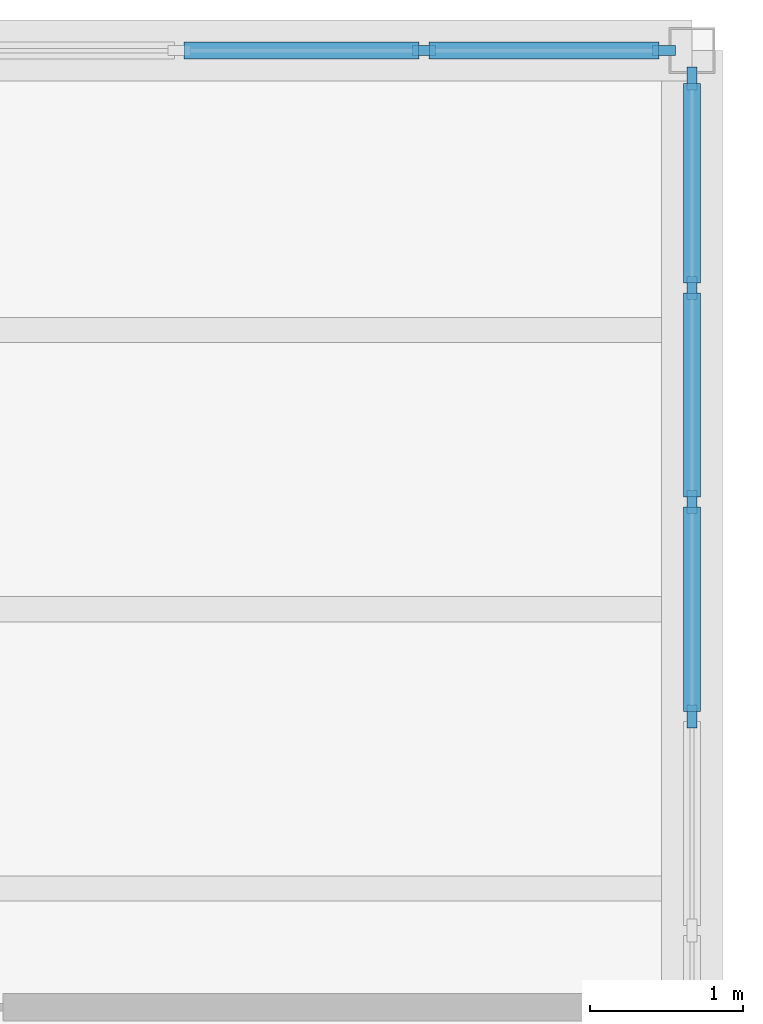
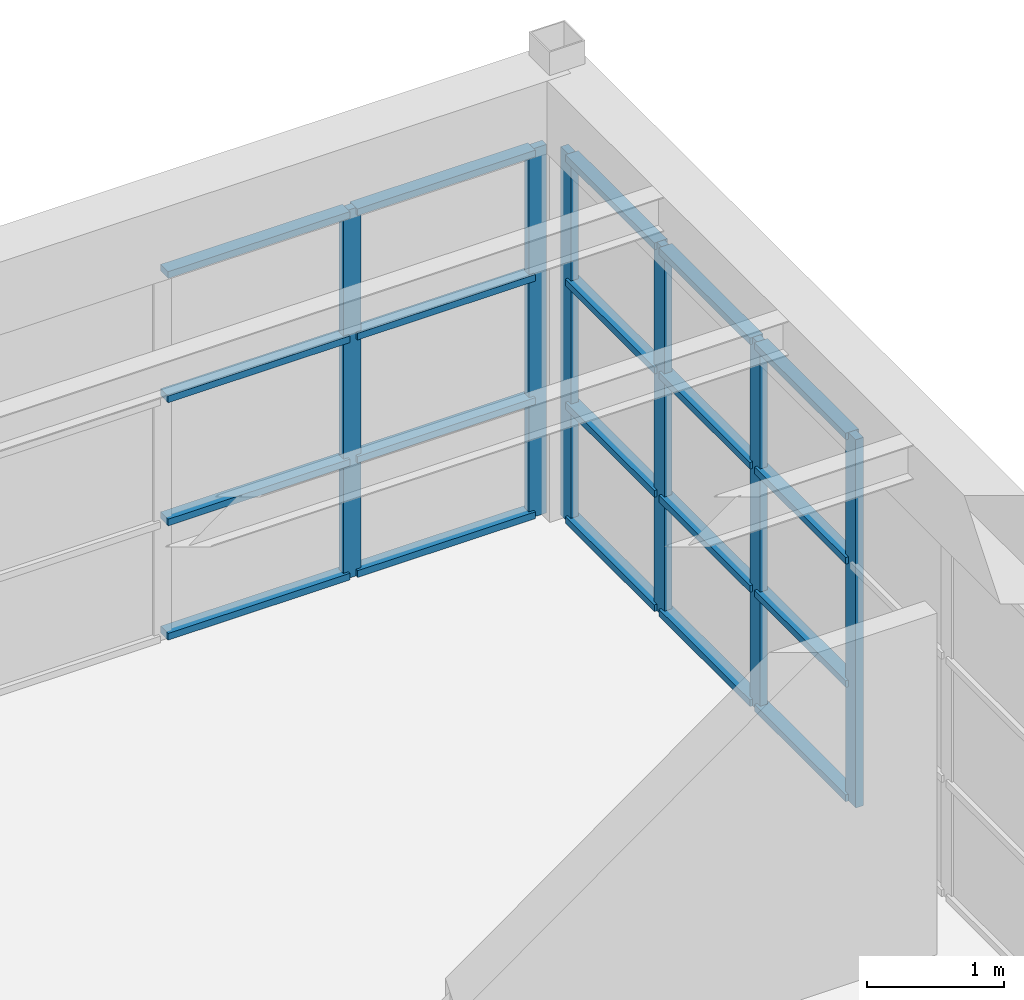
# One storey, part 35 of 52: 26 members, 2 elements without a shape of their own.
"""IFC4 building model written with IfcOpenShell, lengths in metres."""

from ifc_helpers import new_model, si_unit, direction, frame, origin, origin_2d, place, context, subcontext, project, spatial, rectangle, extrude, material, layer, layer_set, material_profile, profile_set, type_object, element, aggregate, save


model = new_model("IFC4")

# Units and contexts
model_context = context("Model", 3, precision=1e-05, world=origin(), true_north=direction((0.0, 1.0)))
body_context = subcontext(model_context, "Body", "Model", "MODEL_VIEW")
ifc_project = project(units=[si_unit("LENGTHUNIT", "METRE"), si_unit("AREAUNIT", "SQUARE_METRE"), si_unit("VOLUMEUNIT", "CUBIC_METRE"), si_unit("PLANEANGLEUNIT", "RADIAN"), si_unit("MASSUNIT", "GRAM", prefix="KILO")], contexts=[model_context])

# Site, building, storey
site_placement = place(None, origin())
site = spatial("IfcSite", under=ifc_project, at=site_placement, CompositionType="ELEMENT")
building_placement = place(site_placement, origin())
building = spatial("IfcBuilding", under=site, at=building_placement, Name="Candilejo Ridge Gondola Terminal", CompositionType="ELEMENT")
storey_placement = place(building_placement, frame((0.0, 0.0, 18.60009765625)))
storey = spatial("IfcBuildingStorey", under=building, at=storey_placement, Name="L04", CompositionType="ELEMENT", Elevation=18.60009765625)

# Curtain wall, members
ifc_material_1 = material(Name="Anodised aluminium AA 6063-T6", Category="aluminium")
ifc_layer_1 = layer(ifc_material_1, 0.169921875)
ifc_layer_set_1 = layer_set([ifc_layer_1], Name="ARC-CW-TOWER-3000-700X329")
curtain_wall_type_1 = type_object("IfcCurtainWallType", Name="ARC-CW-TOWER-3000-700X329", PredefinedType="NOTDEFINED", material=ifc_layer_set_1)
curtain_wall_1_placement = place(storey_placement, origin())
curtain_wall_1 = element("IfcCurtainWall", 1, at=curtain_wall_1_placement, inside=storey, type_object=curtain_wall_type_1, Name="Curtain wall V5 L04-221", PredefinedType="NOTDEFINED")
ifc_material_2 = material(Name="Anodised aluminium AA 6063-T6", Category="aluminium")
ifc_material_profile_1 = material_profile(ifc_material_2, rectangle(XDim=0.06494140625, YDim=0.14990234375, at=origin_2d()))
ifc_profile_set_1 = profile_set([ifc_material_profile_1], Name="Anodised aluminium AA 6063-T6")
member_type_1 = type_object("IfcMemberType", Name="ARC-CW-MULLION-150", PredefinedType="MULLION", material=ifc_profile_set_1)
member_1_placement = place(storey_placement, frame((175.300048828125, 116.5, 0.0), z_axis=(0.0, 0.0, 1.0), x_axis=(-1.0, 0.0, 0.0)))
member_1 = element("IfcMember", 2, at=member_1_placement, type_object=member_type_1, Name="CW-70X32 mullion 3", PredefinedType="MULLION", context=body_context, shape_type="SweptSolid", body=[
    extrude(rectangle(XDim=0.06494140625, YDim=0.14990234375, at=origin_2d()), origin(), (0.0, 0.0, 1.0), 3.289794921875),
])
member_2_placement = place(storey_placement, frame((175.300048828125, 117.89990234375, 0.0), z_axis=(0.0, 0.0, 1.0), x_axis=(-1.0, 0.0, 0.0)))
member_2 = element("IfcMember", 3, at=member_2_placement, type_object=member_type_1, Name="CW-70X32 mullion 4", PredefinedType="MULLION", context=body_context, shape_type="SweptSolid", body=[
    extrude(rectangle(XDim=0.06494140625, YDim=0.14990234375, at=origin_2d()), origin(), (0.0, 0.0, 1.0), 3.289794921875),
])
member_3_placement = place(storey_placement, frame((175.300048828125, 119.300048828125, 0.0), z_axis=(0.0, 0.0, 1.0), x_axis=(-1.0, 0.0, 0.0)))
member_3 = element("IfcMember", 4, at=member_3_placement, type_object=member_type_1, Name="CW-70X32 mullion 5", PredefinedType="MULLION", context=body_context, shape_type="SweptSolid", body=[
    extrude(rectangle(XDim=0.06494140625, YDim=0.14990234375, at=origin_2d()), origin(), (0.0, 0.0, 1.0), 3.289794921875),
])
member_4_placement = place(storey_placement, frame((175.300048828125, 120.66748046875, 0.0), z_axis=(0.0, 0.0, 1.0), x_axis=(-1.0, 0.0, 0.0)))
member_4 = element("IfcMember", 5, at=member_4_placement, type_object=member_type_1, Name="CW-70X32 mullion 6", PredefinedType="MULLION", context=body_context, shape_type="SweptSolid", body=[
    extrude(rectangle(XDim=0.06494140625, YDim=0.14990234375, at=origin_2d()), origin(), (0.0, 0.0, 1.0), 3.289794921875),
])

ifc_material_3 = material(Name="Anodised aluminium AA 6063-T6", Category="aluminium")
ifc_layer_2 = layer(ifc_material_3, 0.169921875)
ifc_layer_set_2 = layer_set([ifc_layer_2], Name="ARC-CW-TOWER-3000-640X329")
curtain_wall_type_2 = type_object("IfcCurtainWallType", Name="ARC-CW-TOWER-3000-640X329", PredefinedType="NOTDEFINED", material=ifc_layer_set_2)
curtain_wall_2_placement = place(storey_placement, origin())
curtain_wall_2 = element("IfcCurtainWall", 6, at=curtain_wall_2_placement, inside=storey, type_object=curtain_wall_type_2, Name="Curtain wall V5 L04-225", PredefinedType="NOTDEFINED")
member_5_placement = place(storey_placement, frame((173.550048828125, 120.85009765625, 0.0), z_axis=(0.0, 0.0, 1.0), x_axis=(0.0, 1.0, 0.0)))
member_5 = element("IfcMember", 7, at=member_5_placement, type_object=member_type_1, Name="CW-64X32 mullion 4", PredefinedType="MULLION", context=body_context, shape_type="SweptSolid", body=[
    extrude(rectangle(XDim=0.06494140625, YDim=0.14990234375, at=origin_2d()), origin(), (0.0, 0.0, 1.0), 3.289794921875),
])
member_6_placement = place(storey_placement, frame((175.117431640625, 120.85009765625, 0.0), z_axis=(0.0, 0.0, 1.0), x_axis=(0.0, 1.0, 0.0)))
member_6 = element("IfcMember", 8, at=member_6_placement, type_object=member_type_1, Name="CW-64X32 mullion 5", PredefinedType="MULLION", context=body_context, shape_type="SweptSolid", body=[
    extrude(rectangle(XDim=0.06494140625, YDim=0.14990234375, at=origin_2d()), origin(), (0.0, 0.0, 1.0), 3.289794921875),
])

# Member
ifc_material_4 = material(Name="Anodised aluminium AA 6063-T6", Category="aluminium")
ifc_material_profile_2 = material_profile(ifc_material_4, rectangle(XDim=0.110107421875, YDim=0.06005859375, at=origin_2d()))
ifc_profile_set_2 = profile_set([ifc_material_profile_2], Name="Anodised aluminium AA 6063-T6")
member_type_2 = type_object("IfcMemberType", Name="ARC-CW-TRANSOM-110", PredefinedType="USERDEFINED", material=ifc_profile_set_2)
member_7_placement = place(storey_placement, frame((175.300048828125, 116.532470703125, 0.02978515625), z_axis=(0.0, 1.0, 0.0), x_axis=(-1.0, 0.0, 0.0)))
member_7 = element("IfcMember", 9, at=member_7_placement, type_object=member_type_2, Name="CW-70X32 transom 3.1", ObjectType="TRANSOM", PredefinedType="USERDEFINED", context=body_context, shape_type="SweptSolid", body=[
    extrude(rectangle(XDim=0.110107421875, YDim=0.06005859375, at=origin_2d()), origin(), (0.0, 0.0, 1.0), 1.3349609375),
])

member_8_placement = place(storey_placement, frame((175.300048828125, 116.532470703125, 1.0498046875), z_axis=(0.0, 1.0, 0.0), x_axis=(-1.0, 0.0, 0.0)))
member_8 = element("IfcMember", 10, at=member_8_placement, type_object=member_type_2, Name="CW-70X32 transom 3.2", ObjectType="TRANSOM", PredefinedType="USERDEFINED", context=body_context, shape_type="SweptSolid", body=[
    extrude(rectangle(XDim=0.110107421875, YDim=0.06005859375, at=origin_2d()), origin(), (0.0, 0.0, 1.0), 1.3349609375),
])

member_9_placement = place(storey_placement, frame((175.300048828125, 116.532470703125, 2.14990234375), z_axis=(0.0, 1.0, 0.0), x_axis=(-1.0, 0.0, 0.0)))
member_9 = element("IfcMember", 11, at=member_9_placement, type_object=member_type_2, Name="CW-70X32 transom 3.3", ObjectType="TRANSOM", PredefinedType="USERDEFINED", context=body_context, shape_type="SweptSolid", body=[
    extrude(rectangle(XDim=0.110107421875, YDim=0.06005859375, at=origin_2d()), origin(), (0.0, 0.0, 1.0), 1.3349609375),
])

member_10_placement = place(storey_placement, frame((175.300048828125, 116.532470703125, 3.260009765625), z_axis=(0.0, 1.0, 0.0), x_axis=(-1.0, 0.0, 0.0)))
member_10 = element("IfcMember", 12, at=member_10_placement, type_object=member_type_2, Name="CW-70X32 transom 3.4", ObjectType="TRANSOM", PredefinedType="USERDEFINED", context=body_context, shape_type="SweptSolid", body=[
    extrude(rectangle(XDim=0.110107421875, YDim=0.06005859375, at=origin_2d()), origin(), (0.0, 0.0, 1.0), 1.3349609375),
])

member_11_placement = place(storey_placement, frame((175.300048828125, 117.9326171875, 0.02978515625), z_axis=(0.0, 1.0, 0.0), x_axis=(-1.0, 0.0, 0.0)))
member_11 = element("IfcMember", 13, at=member_11_placement, type_object=member_type_2, Name="CW-70X32 transom 4.1", ObjectType="TRANSOM", PredefinedType="USERDEFINED", context=body_context, shape_type="SweptSolid", body=[
    extrude(rectangle(XDim=0.110107421875, YDim=0.06005859375, at=origin_2d()), origin(), (0.0, 0.0, 1.0), 1.3349609375),
])

member_12_placement = place(storey_placement, frame((175.300048828125, 117.9326171875, 1.0498046875), z_axis=(0.0, 1.0, 0.0), x_axis=(-1.0, 0.0, 0.0)))
member_12 = element("IfcMember", 14, at=member_12_placement, type_object=member_type_2, Name="CW-70X32 transom 4.2", ObjectType="TRANSOM", PredefinedType="USERDEFINED", context=body_context, shape_type="SweptSolid", body=[
    extrude(rectangle(XDim=0.110107421875, YDim=0.06005859375, at=origin_2d()), origin(), (0.0, 0.0, 1.0), 1.3349609375),
])

member_13_placement = place(storey_placement, frame((175.300048828125, 117.9326171875, 2.14990234375), z_axis=(0.0, 1.0, 0.0), x_axis=(-1.0, 0.0, 0.0)))
member_13 = element("IfcMember", 15, at=member_13_placement, type_object=member_type_2, Name="CW-70X32 transom 4.3", ObjectType="TRANSOM", PredefinedType="USERDEFINED", context=body_context, shape_type="SweptSolid", body=[
    extrude(rectangle(XDim=0.110107421875, YDim=0.06005859375, at=origin_2d()), origin(), (0.0, 0.0, 1.0), 1.3349609375),
])

member_14_placement = place(storey_placement, frame((175.300048828125, 117.9326171875, 3.260009765625), z_axis=(0.0, 1.0, 0.0), x_axis=(-1.0, 0.0, 0.0)))
member_14 = element("IfcMember", 16, at=member_14_placement, type_object=member_type_2, Name="CW-70X32 transom 4.4", ObjectType="TRANSOM", PredefinedType="USERDEFINED", context=body_context, shape_type="SweptSolid", body=[
    extrude(rectangle(XDim=0.110107421875, YDim=0.06005859375, at=origin_2d()), origin(), (0.0, 0.0, 1.0), 1.3349609375),
])

member_15_placement = place(storey_placement, frame((175.300048828125, 119.33251953125, 0.02978515625), z_axis=(0.0, 1.0, 0.0), x_axis=(-1.0, 0.0, 0.0)))
member_15 = element("IfcMember", 17, at=member_15_placement, type_object=member_type_2, Name="CW-70X32 transom 5.1", ObjectType="TRANSOM", PredefinedType="USERDEFINED", context=body_context, shape_type="SweptSolid", body=[
    extrude(rectangle(XDim=0.110107421875, YDim=0.06005859375, at=origin_2d()), origin(), (0.0, 0.0, 1.0), 1.302490234375),
])

member_16_placement = place(storey_placement, frame((175.300048828125, 119.33251953125, 1.0498046875), z_axis=(0.0, 1.0, 0.0), x_axis=(-1.0, 0.0, 0.0)))
member_16 = element("IfcMember", 18, at=member_16_placement, type_object=member_type_2, Name="CW-70X32 transom 5.2", ObjectType="TRANSOM", PredefinedType="USERDEFINED", context=body_context, shape_type="SweptSolid", body=[
    extrude(rectangle(XDim=0.110107421875, YDim=0.06005859375, at=origin_2d()), origin(), (0.0, 0.0, 1.0), 1.302490234375),
])

member_17_placement = place(storey_placement, frame((175.300048828125, 119.33251953125, 2.14990234375), z_axis=(0.0, 1.0, 0.0), x_axis=(-1.0, 0.0, 0.0)))
member_17 = element("IfcMember", 19, at=member_17_placement, type_object=member_type_2, Name="CW-70X32 transom 5.3", ObjectType="TRANSOM", PredefinedType="USERDEFINED", context=body_context, shape_type="SweptSolid", body=[
    extrude(rectangle(XDim=0.110107421875, YDim=0.06005859375, at=origin_2d()), origin(), (0.0, 0.0, 1.0), 1.302490234375),
])

member_18_placement = place(storey_placement, frame((175.300048828125, 119.33251953125, 3.260009765625), z_axis=(0.0, 1.0, 0.0), x_axis=(-1.0, 0.0, 0.0)))
member_18 = element("IfcMember", 20, at=member_18_placement, type_object=member_type_2, Name="CW-70X32 transom 5.4", ObjectType="TRANSOM", PredefinedType="USERDEFINED", context=body_context, shape_type="SweptSolid", body=[
    extrude(rectangle(XDim=0.110107421875, YDim=0.06005859375, at=origin_2d()), origin(), (0.0, 0.0, 1.0), 1.302490234375),
])

aggregate(curtain_wall_1, [member_1, member_2, member_3, member_4, member_7, member_8, member_9, member_10, member_11, member_12, member_13, member_14, member_15, member_16, member_17, member_18])

member_19_placement = place(storey_placement, frame((171.982421875, 120.85009765625, 0.02978515625), z_axis=(1.0, 0.0, 0.0), x_axis=(0.0, 1.0, 0.0)))
member_19 = element("IfcMember", 21, at=member_19_placement, type_object=member_type_2, Name="CW-64X32 transom 3.1", ObjectType="TRANSOM", PredefinedType="USERDEFINED", context=body_context, shape_type="SweptSolid", body=[
    extrude(rectangle(XDim=0.110107421875, YDim=0.06005859375, at=origin_2d()), origin(), (0.0, 0.0, 1.0), 1.53515625),
])

member_20_placement = place(storey_placement, frame((171.982421875, 120.85009765625, 1.0498046875), z_axis=(1.0, 0.0, 0.0), x_axis=(0.0, 1.0, 0.0)))
member_20 = element("IfcMember", 22, at=member_20_placement, type_object=member_type_2, Name="CW-64X32 transom 3.2", ObjectType="TRANSOM", PredefinedType="USERDEFINED", context=body_context, shape_type="SweptSolid", body=[
    extrude(rectangle(XDim=0.110107421875, YDim=0.06005859375, at=origin_2d()), origin(), (0.0, 0.0, 1.0), 1.53515625),
])

member_21_placement = place(storey_placement, frame((171.982421875, 120.85009765625, 2.14990234375), z_axis=(1.0, 0.0, 0.0), x_axis=(0.0, 1.0, 0.0)))
member_21 = element("IfcMember", 23, at=member_21_placement, type_object=member_type_2, Name="CW-64X32 transom 3.3", ObjectType="TRANSOM", PredefinedType="USERDEFINED", context=body_context, shape_type="SweptSolid", body=[
    extrude(rectangle(XDim=0.110107421875, YDim=0.06005859375, at=origin_2d()), origin(), (0.0, 0.0, 1.0), 1.53515625),
])

member_22_placement = place(storey_placement, frame((171.982421875, 120.85009765625, 3.260009765625), z_axis=(1.0, 0.0, 0.0), x_axis=(0.0, 1.0, 0.0)))
member_22 = element("IfcMember", 24, at=member_22_placement, type_object=member_type_2, Name="CW-64X32 transom 3.4", ObjectType="TRANSOM", PredefinedType="USERDEFINED", context=body_context, shape_type="SweptSolid", body=[
    extrude(rectangle(XDim=0.110107421875, YDim=0.06005859375, at=origin_2d()), origin(), (0.0, 0.0, 1.0), 1.53515625),
])

member_23_placement = place(storey_placement, frame((173.58251953125, 120.85009765625, 0.02978515625), z_axis=(1.0, 0.0, 0.0), x_axis=(0.0, 1.0, 0.0)))
member_23 = element("IfcMember", 25, at=member_23_placement, type_object=member_type_2, Name="CW-64X32 transom 4.1", ObjectType="TRANSOM", PredefinedType="USERDEFINED", context=body_context, shape_type="SweptSolid", body=[
    extrude(rectangle(XDim=0.110107421875, YDim=0.06005859375, at=origin_2d()), origin(), (0.0, 0.0, 1.0), 1.50244140625),
])

member_24_placement = place(storey_placement, frame((173.58251953125, 120.85009765625, 1.0498046875), z_axis=(1.0, 0.0, 0.0), x_axis=(0.0, 1.0, 0.0)))
member_24 = element("IfcMember", 26, at=member_24_placement, type_object=member_type_2, Name="CW-64X32 transom 4.2", ObjectType="TRANSOM", PredefinedType="USERDEFINED", context=body_context, shape_type="SweptSolid", body=[
    extrude(rectangle(XDim=0.110107421875, YDim=0.06005859375, at=origin_2d()), origin(), (0.0, 0.0, 1.0), 1.50244140625),
])

member_25_placement = place(storey_placement, frame((173.58251953125, 120.85009765625, 2.14990234375), z_axis=(1.0, 0.0, 0.0), x_axis=(0.0, 1.0, 0.0)))
member_25 = element("IfcMember", 27, at=member_25_placement, type_object=member_type_2, Name="CW-64X32 transom 4.3", ObjectType="TRANSOM", PredefinedType="USERDEFINED", context=body_context, shape_type="SweptSolid", body=[
    extrude(rectangle(XDim=0.110107421875, YDim=0.06005859375, at=origin_2d()), origin(), (0.0, 0.0, 1.0), 1.50244140625),
])

member_26_placement = place(storey_placement, frame((173.58251953125, 120.85009765625, 3.260009765625), z_axis=(1.0, 0.0, 0.0), x_axis=(0.0, 1.0, 0.0)))
member_26 = element("IfcMember", 28, at=member_26_placement, type_object=member_type_2, Name="CW-64X32 transom 4.4", ObjectType="TRANSOM", PredefinedType="USERDEFINED", context=body_context, shape_type="SweptSolid", body=[
    extrude(rectangle(XDim=0.110107421875, YDim=0.06005859375, at=origin_2d()), origin(), (0.0, 0.0, 1.0), 1.50244140625),
])

aggregate(curtain_wall_2, [member_5, member_6, member_19, member_20, member_21, member_22, member_23, member_24, member_25, member_26])

save(model, "model.ifc")
